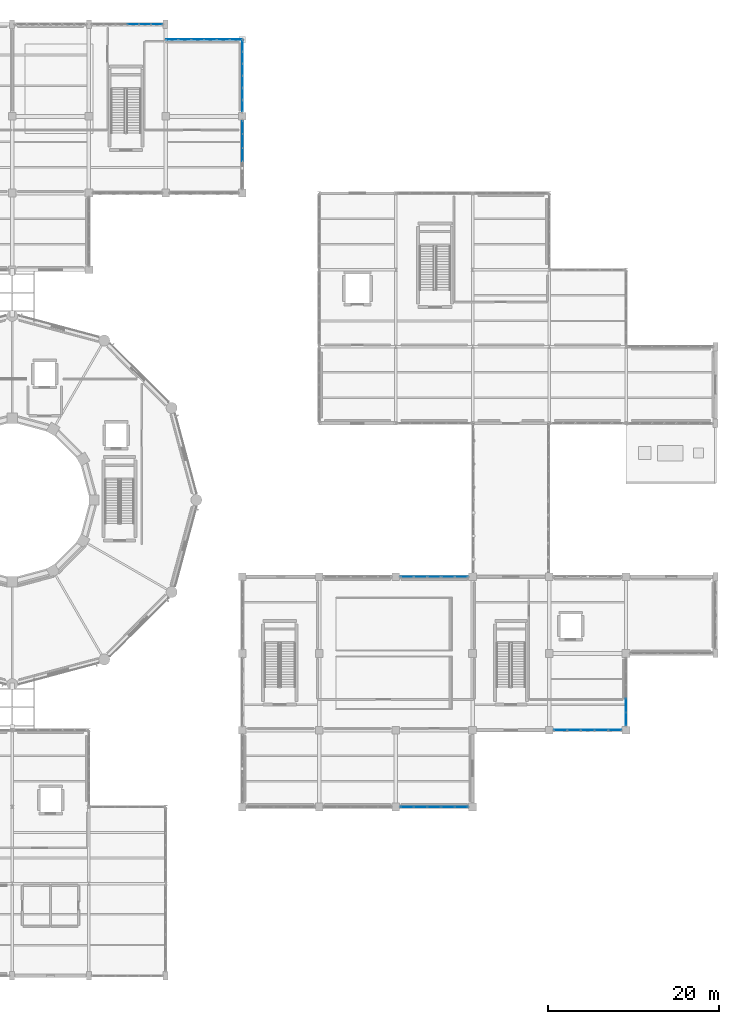
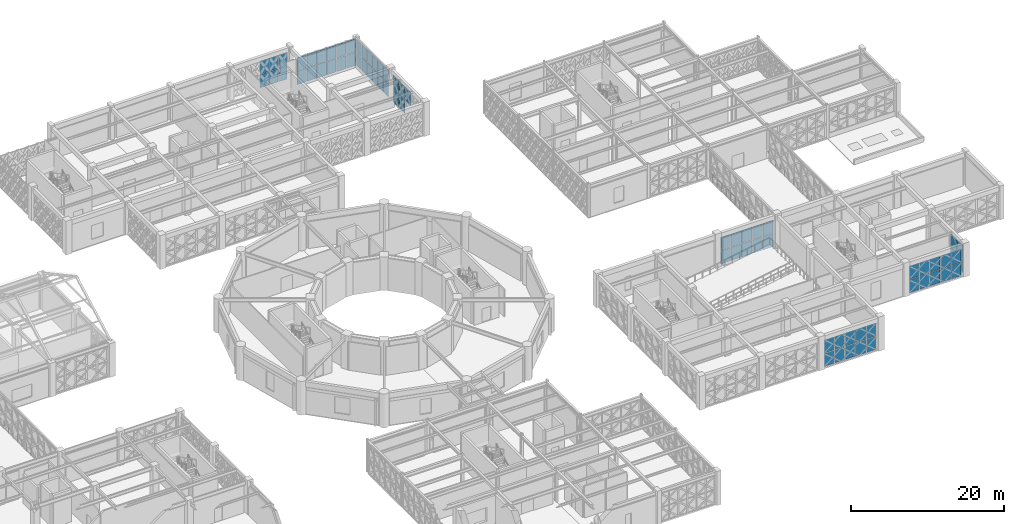
# One storey, part 134 of 166: 69 plates, 8 elements without a shape of their own.
"""IFC4 building model written with IfcOpenShell, lengths in metres."""

from ifc_helpers import new_model, si_unit, direction, frame, origin, origin_2d, place, context, subcontext, project, spatial, rectangle, extrude, material, layer, layer_set, type_object, element, aggregate, save


model = new_model("IFC4")

# Units and contexts
model_context = context("Model", 3, precision=1e-05, world=origin(), true_north=direction((0.0, 1.0)))
body_context = subcontext(model_context, "Body", "Model", "MODEL_VIEW")
ifc_project = project(units=[si_unit("LENGTHUNIT", "METRE"), si_unit("AREAUNIT", "SQUARE_METRE"), si_unit("VOLUMEUNIT", "CUBIC_METRE"), si_unit("PLANEANGLEUNIT", "RADIAN"), si_unit("MASSUNIT", "GRAM", prefix="KILO")], contexts=[model_context])

# Site, building, storey
site_placement = place(None, origin())
site = spatial("IfcSite", under=ifc_project, at=site_placement, CompositionType="ELEMENT")
building_placement = place(site_placement, origin())
building = spatial("IfcBuilding", under=site, at=building_placement, Name="Haizhuo Lancet Aquarium", CompositionType="ELEMENT")
storey_placement = place(building_placement, frame((0.0, 0.0, 5.39990234375)))
storey = spatial("IfcBuildingStorey", under=building, at=storey_placement, Name="L01", CompositionType="ELEMENT", Elevation=5.39990234375)

# Curtain wall, plates
ifc_material_1 = material(Name="Aluminium 6063-T6", Category="aluminium")
curtain_wall_type_1 = type_object("IfcCurtainWallType", Name="CWO-8010x4390", PredefinedType="NOTDEFINED", material=ifc_material_1)
curtain_wall_1_placement = place(storey_placement, origin())
curtain_wall_1 = element("IfcCurtainWall", 1, at=curtain_wall_1_placement, inside=storey, type_object=curtain_wall_type_1, Name="L01 curtain wall CW-V3-L01-045", PredefinedType="NOTDEFINED")
ifc_material_2 = material(Name="Laminated Low-E Glass", Category="glass")
ifc_layer_1 = layer(ifc_material_2, 0.028076171875)
ifc_layer_set_1 = layer_set([ifc_layer_1], Name="Laminated Low-E Glass")
plate_type_1 = type_object("IfcPlateType", Name="CW-PNL-1", PredefinedType="CURTAIN_PANEL", material=ifc_layer_set_1)
plate_1_placement = place(storey_placement, frame((52.68408203125, -36.0, 0.08056640625), z_axis=(0.0, 0.0, 1.0), x_axis=(-1.0, 0.0, 0.0)))
plate_1 = element("IfcPlate", 2, at=plate_1_placement, type_object=plate_type_1, Name="CWO-80x43 panel 1.1", PredefinedType="CURTAIN_PANEL", context=body_context, shape_type="SweptSolid", body=[
    extrude(rectangle(XDim=1.48193359375, YDim=0.028076171875, at=origin_2d()), origin(), (0.0, 0.0, 1.0), 2.074951171875),
])
plate_2_placement = place(storey_placement, frame((52.68408203125, -36.0, 2.23486328125), z_axis=(0.0, 0.0, 1.0), x_axis=(-1.0, 0.0, 0.0)))
plate_2 = element("IfcPlate", 3, at=plate_2_placement, type_object=plate_type_1, Name="CWO-80x43 panel 1.2", PredefinedType="CURTAIN_PANEL", context=body_context, shape_type="SweptSolid", body=[
    extrude(rectangle(XDim=1.48193359375, YDim=0.028076171875, at=origin_2d()), origin(), (0.0, 0.0, 1.0), 2.074951171875),
])
plate_3_placement = place(storey_placement, frame((51.10205078125, -36.0, 0.08056640625), z_axis=(0.0, 0.0, 1.0), x_axis=(-1.0, 0.0, 0.0)))
plate_3 = element("IfcPlate", 4, at=plate_3_placement, type_object=plate_type_1, Name="CWO-80x43 panel 2.1", PredefinedType="CURTAIN_PANEL", context=body_context, shape_type="SweptSolid", body=[
    extrude(rectangle(XDim=1.52197265625, YDim=0.028076171875, at=origin_2d()), origin(), (0.0, 0.0, 1.0), 2.074951171875),
])
plate_4_placement = place(storey_placement, frame((51.10205078125, -36.0, 2.23486328125), z_axis=(0.0, 0.0, 1.0), x_axis=(-1.0, 0.0, 0.0)))
plate_4 = element("IfcPlate", 5, at=plate_4_placement, type_object=plate_type_1, Name="CWO-80x43 panel 2.2", PredefinedType="CURTAIN_PANEL", context=body_context, shape_type="SweptSolid", body=[
    extrude(rectangle(XDim=1.52197265625, YDim=0.028076171875, at=origin_2d()), origin(), (0.0, 0.0, 1.0), 2.074951171875),
])
plate_5_placement = place(storey_placement, frame((49.5, -36.0, 0.08056640625), z_axis=(0.0, 0.0, 1.0), x_axis=(-1.0, 0.0, 0.0)))
plate_5 = element("IfcPlate", 6, at=plate_5_placement, type_object=plate_type_1, Name="CWO-80x43 panel 3.1", PredefinedType="CURTAIN_PANEL", context=body_context, shape_type="SweptSolid", body=[
    extrude(rectangle(XDim=1.52197265625, YDim=0.028076171875, at=origin_2d()), origin(), (0.0, 0.0, 1.0), 2.074951171875),
])
plate_6_placement = place(storey_placement, frame((49.5, -36.0, 2.23486328125), z_axis=(0.0, 0.0, 1.0), x_axis=(-1.0, 0.0, 0.0)))
plate_6 = element("IfcPlate", 7, at=plate_6_placement, type_object=plate_type_1, Name="CWO-80x43 panel 3.2", PredefinedType="CURTAIN_PANEL", context=body_context, shape_type="SweptSolid", body=[
    extrude(rectangle(XDim=1.52197265625, YDim=0.028076171875, at=origin_2d()), origin(), (0.0, 0.0, 1.0), 2.074951171875),
])
plate_7_placement = place(storey_placement, frame((47.89794921875, -36.0, 0.08056640625), z_axis=(0.0, 0.0, 1.0), x_axis=(-1.0, 0.0, 0.0)))
plate_7 = element("IfcPlate", 8, at=plate_7_placement, type_object=plate_type_1, Name="CWO-80x43 panel 4.1", PredefinedType="CURTAIN_PANEL", context=body_context, shape_type="SweptSolid", body=[
    extrude(rectangle(XDim=1.52197265625, YDim=0.028076171875, at=origin_2d()), origin(), (0.0, 0.0, 1.0), 2.074951171875),
])
plate_8_placement = place(storey_placement, frame((47.89794921875, -36.0, 2.23486328125), z_axis=(0.0, 0.0, 1.0), x_axis=(-1.0, 0.0, 0.0)))
plate_8 = element("IfcPlate", 9, at=plate_8_placement, type_object=plate_type_1, Name="CWO-80x43 panel 4.2", PredefinedType="CURTAIN_PANEL", context=body_context, shape_type="SweptSolid", body=[
    extrude(rectangle(XDim=1.52197265625, YDim=0.028076171875, at=origin_2d()), origin(), (0.0, 0.0, 1.0), 2.074951171875),
])
plate_9_placement = place(storey_placement, frame((46.31591796875, -36.0, 0.08056640625), z_axis=(0.0, 0.0, 1.0), x_axis=(-1.0, 0.0, 0.0)))
plate_9 = element("IfcPlate", 10, at=plate_9_placement, type_object=plate_type_1, Name="CWO-80x43 panel 5.1", PredefinedType="CURTAIN_PANEL", context=body_context, shape_type="SweptSolid", body=[
    extrude(rectangle(XDim=1.48193359375, YDim=0.028076171875, at=origin_2d()), origin(), (0.0, 0.0, 1.0), 2.074951171875),
])
plate_10_placement = place(storey_placement, frame((46.31591796875, -36.0, 2.23486328125), z_axis=(0.0, 0.0, 1.0), x_axis=(-1.0, 0.0, 0.0)))
plate_10 = element("IfcPlate", 11, at=plate_10_placement, type_object=plate_type_1, Name="CWO-80x43 panel 5.2", PredefinedType="CURTAIN_PANEL", context=body_context, shape_type="SweptSolid", body=[
    extrude(rectangle(XDim=1.48193359375, YDim=0.028076171875, at=origin_2d()), origin(), (0.0, 0.0, 1.0), 2.074951171875),
])
aggregate(curtain_wall_1, [plate_1, plate_2, plate_3, plate_4, plate_5, plate_6, plate_7, plate_8, plate_9, plate_10])

curtain_wall_type_2 = type_object("IfcCurtainWallType", Name="CWD-8310x4390", PredefinedType="NOTDEFINED", material=ifc_material_1)
curtain_wall_2_placement = place(storey_placement, origin())
curtain_wall_2 = element("IfcCurtainWall", 12, at=curtain_wall_2_placement, inside=storey, type_object=curtain_wall_type_2, Name="L01 curtain wall CW-V5-L01-133", PredefinedType="NOTDEFINED")
plate_11_placement = place(storey_placement, frame((14.193115234375, 55.800048828125, 0.06494140625), z_axis=(0.0, 0.0, 1.0), x_axis=(1.0, 0.0, 0.0)))
plate_11 = element("IfcPlate", 13, at=plate_11_placement, type_object=plate_type_1, Name="CWD-83x43 panel 4.1", PredefinedType="CURTAIN_PANEL", context=body_context, shape_type="SweptSolid", body=[
    extrude(rectangle(XDim=1.320068359375, YDim=0.028076171875, at=origin_2d()), origin(), (0.0, 0.0, 1.0), 2.097900390625),
])
plate_12_placement = place(storey_placement, frame((14.193115234375, 55.800048828125, 2.2275390625), z_axis=(0.0, 0.0, 1.0), x_axis=(1.0, 0.0, 0.0)))
plate_12 = element("IfcPlate", 14, at=plate_12_placement, type_object=plate_type_1, Name="CWD-83x43 panel 4.2", PredefinedType="CURTAIN_PANEL", context=body_context, shape_type="SweptSolid", body=[
    extrude(rectangle(XDim=1.320068359375, YDim=0.028076171875, at=origin_2d()), origin(), (0.0, 0.0, 1.0), 2.096923828125),
])
plate_13_placement = place(storey_placement, frame((15.577880859375, 55.800048828125, 0.06494140625), z_axis=(0.0, 0.0, 1.0), x_axis=(1.0, 0.0, 0.0)))
plate_13 = element("IfcPlate", 15, at=plate_13_placement, type_object=plate_type_1, Name="CWD-83x43 panel 5.1", PredefinedType="CURTAIN_PANEL", context=body_context, shape_type="SweptSolid", body=[
    extrude(rectangle(XDim=1.320068359375, YDim=0.028076171875, at=origin_2d()), origin(), (0.0, 0.0, 1.0), 2.097900390625),
])
plate_14_placement = place(storey_placement, frame((15.577880859375, 55.800048828125, 2.2275390625), z_axis=(0.0, 0.0, 1.0), x_axis=(1.0, 0.0, 0.0)))
plate_14 = element("IfcPlate", 16, at=plate_14_placement, type_object=plate_type_1, Name="CWD-83x43 panel 5.2", PredefinedType="CURTAIN_PANEL", context=body_context, shape_type="SweptSolid", body=[
    extrude(rectangle(XDim=1.320068359375, YDim=0.028076171875, at=origin_2d()), origin(), (0.0, 0.0, 1.0), 2.096923828125),
])
plate_15_placement = place(storey_placement, frame((16.946044921875, 55.800048828125, 0.06494140625), z_axis=(0.0, 0.0, 1.0), x_axis=(1.0, 0.0, 0.0)))
plate_15 = element("IfcPlate", 17, at=plate_15_placement, type_object=plate_type_1, Name="CWD-83x43 panel 6.1", PredefinedType="CURTAIN_PANEL", context=body_context, shape_type="SweptSolid", body=[
    extrude(rectangle(XDim=1.287109375, YDim=0.028076171875, at=origin_2d()), origin(), (0.0, 0.0, 1.0), 2.097900390625),
])
plate_16_placement = place(storey_placement, frame((16.946044921875, 55.800048828125, 2.2275390625), z_axis=(0.0, 0.0, 1.0), x_axis=(1.0, 0.0, 0.0)))
plate_16 = element("IfcPlate", 18, at=plate_16_placement, type_object=plate_type_1, Name="CWD-83x43 panel 6.2", PredefinedType="CURTAIN_PANEL", context=body_context, shape_type="SweptSolid", body=[
    extrude(rectangle(XDim=1.287109375, YDim=0.028076171875, at=origin_2d()), origin(), (0.0, 0.0, 1.0), 2.096923828125),
])
aggregate(curtain_wall_2, [plate_11, plate_12, plate_13, plate_14, plate_15, plate_16])

curtain_wall_type_3 = type_object("IfcCurtainWallType", Name="CWD-9000x4420", PredefinedType="NOTDEFINED", material=ifc_material_1)
curtain_wall_3_placement = place(storey_placement, origin())
curtain_wall_3 = element("IfcCurtainWall", 19, at=curtain_wall_3_placement, inside=storey, type_object=curtain_wall_type_3, Name="L01 curtain wall CW-V5-L01-134", PredefinedType="NOTDEFINED")
ifc_layer_2 = layer(ifc_material_2, 0.033935546875)
ifc_layer_set_2 = layer_set([ifc_layer_2], Name="Laminated Low-E Glass")
plate_type_2 = type_object("IfcPlateType", Name="CW-PNL-2", PredefinedType="CURTAIN_PANEL", material=ifc_layer_set_2)
plate_17_placement = place(storey_placement, frame((18.76904296875, 54.0, 0.074951171875), z_axis=(0.0, 0.0, 1.0), x_axis=(1.0, 0.0, 0.0)))
plate_17 = element("IfcPlate", 20, at=plate_17_placement, type_object=plate_type_2, Name="CWD-90x44 panel 1.1", PredefinedType="CURTAIN_PANEL", context=body_context, shape_type="SweptSolid", body=[
    extrude(rectangle(XDim=1.386962890625, YDim=0.033935546875, at=origin_2d()), origin(), (0.0, 0.0, 1.0), 2.10009765625),
])
plate_18_placement = place(storey_placement, frame((18.76904296875, 54.0, 2.24951171875), z_axis=(0.0, 0.0, 1.0), x_axis=(1.0, 0.0, 0.0)))
plate_18 = element("IfcPlate", 21, at=plate_18_placement, type_object=plate_type_2, Name="CWD-90x44 panel 1.2", PredefinedType="CURTAIN_PANEL", context=body_context, shape_type="SweptSolid", body=[
    extrude(rectangle(XDim=1.386962890625, YDim=0.033935546875, at=origin_2d()), origin(), (0.0, 0.0, 1.0), 2.10107421875),
])
plate_19_placement = place(storey_placement, frame((20.25, 54.0, 0.074951171875), z_axis=(0.0, 0.0, 1.0), x_axis=(1.0, 0.0, 0.0)))
plate_19 = element("IfcPlate", 22, at=plate_19_placement, type_object=plate_type_2, Name="CWD-90x44 panel 2.1", PredefinedType="CURTAIN_PANEL", context=body_context, shape_type="SweptSolid", body=[
    extrude(rectangle(XDim=1.425048828125, YDim=0.033935546875, at=origin_2d()), origin(), (0.0, 0.0, 1.0), 2.10009765625),
])
plate_20_placement = place(storey_placement, frame((20.25, 54.0, 2.24951171875), z_axis=(0.0, 0.0, 1.0), x_axis=(1.0, 0.0, 0.0)))
plate_20 = element("IfcPlate", 23, at=plate_20_placement, type_object=plate_type_2, Name="CWD-90x44 panel 2.2", PredefinedType="CURTAIN_PANEL", context=body_context, shape_type="SweptSolid", body=[
    extrude(rectangle(XDim=1.425048828125, YDim=0.033935546875, at=origin_2d()), origin(), (0.0, 0.0, 1.0), 2.10107421875),
])
plate_21_placement = place(storey_placement, frame((21.75, 54.0, 0.074951171875), z_axis=(0.0, 0.0, 1.0), x_axis=(1.0, 0.0, 0.0)))
plate_21 = element("IfcPlate", 24, at=plate_21_placement, type_object=plate_type_2, Name="CWD-90x44 panel 3.1", PredefinedType="CURTAIN_PANEL", context=body_context, shape_type="SweptSolid", body=[
    extrude(rectangle(XDim=1.425048828125, YDim=0.033935546875, at=origin_2d()), origin(), (0.0, 0.0, 1.0), 2.10009765625),
])
plate_22_placement = place(storey_placement, frame((21.75, 54.0, 2.24951171875), z_axis=(0.0, 0.0, 1.0), x_axis=(1.0, 0.0, 0.0)))
plate_22 = element("IfcPlate", 25, at=plate_22_placement, type_object=plate_type_2, Name="CWD-90x44 panel 3.2", PredefinedType="CURTAIN_PANEL", context=body_context, shape_type="SweptSolid", body=[
    extrude(rectangle(XDim=1.425048828125, YDim=0.033935546875, at=origin_2d()), origin(), (0.0, 0.0, 1.0), 2.10107421875),
])
plate_23_placement = place(storey_placement, frame((23.25, 54.0, 0.074951171875), z_axis=(0.0, 0.0, 1.0), x_axis=(1.0, 0.0, 0.0)))
plate_23 = element("IfcPlate", 26, at=plate_23_placement, type_object=plate_type_2, Name="CWD-90x44 panel 4.1", PredefinedType="CURTAIN_PANEL", context=body_context, shape_type="SweptSolid", body=[
    extrude(rectangle(XDim=1.425048828125, YDim=0.033935546875, at=origin_2d()), origin(), (0.0, 0.0, 1.0), 2.10009765625),
])
plate_24_placement = place(storey_placement, frame((23.25, 54.0, 2.24951171875), z_axis=(0.0, 0.0, 1.0), x_axis=(1.0, 0.0, 0.0)))
plate_24 = element("IfcPlate", 27, at=plate_24_placement, type_object=plate_type_2, Name="CWD-90x44 panel 4.2", PredefinedType="CURTAIN_PANEL", context=body_context, shape_type="SweptSolid", body=[
    extrude(rectangle(XDim=1.425048828125, YDim=0.033935546875, at=origin_2d()), origin(), (0.0, 0.0, 1.0), 2.10107421875),
])
plate_25_placement = place(storey_placement, frame((24.75, 54.0, 0.074951171875), z_axis=(0.0, 0.0, 1.0), x_axis=(1.0, 0.0, 0.0)))
plate_25 = element("IfcPlate", 28, at=plate_25_placement, type_object=plate_type_2, Name="CWD-90x44 panel 5.1", PredefinedType="CURTAIN_PANEL", context=body_context, shape_type="SweptSolid", body=[
    extrude(rectangle(XDim=1.425048828125, YDim=0.033935546875, at=origin_2d()), origin(), (0.0, 0.0, 1.0), 2.10009765625),
])
plate_26_placement = place(storey_placement, frame((24.75, 54.0, 2.24951171875), z_axis=(0.0, 0.0, 1.0), x_axis=(1.0, 0.0, 0.0)))
plate_26 = element("IfcPlate", 29, at=plate_26_placement, type_object=plate_type_2, Name="CWD-90x44 panel 5.2", PredefinedType="CURTAIN_PANEL", context=body_context, shape_type="SweptSolid", body=[
    extrude(rectangle(XDim=1.425048828125, YDim=0.033935546875, at=origin_2d()), origin(), (0.0, 0.0, 1.0), 2.10107421875),
])
plate_27_placement = place(storey_placement, frame((26.23095703125, 54.0, 0.074951171875), z_axis=(0.0, 0.0, 1.0), x_axis=(1.0, 0.0, 0.0)))
plate_27 = element("IfcPlate", 30, at=plate_27_placement, type_object=plate_type_2, Name="CWD-90x44 panel 6.1", PredefinedType="CURTAIN_PANEL", context=body_context, shape_type="SweptSolid", body=[
    extrude(rectangle(XDim=1.387939453125, YDim=0.033935546875, at=origin_2d()), origin(), (0.0, 0.0, 1.0), 2.10009765625),
])
plate_28_placement = place(storey_placement, frame((26.23095703125, 54.0, 2.24951171875), z_axis=(0.0, 0.0, 1.0), x_axis=(1.0, 0.0, 0.0)))
plate_28 = element("IfcPlate", 31, at=plate_28_placement, type_object=plate_type_2, Name="CWD-90x44 panel 6.2", PredefinedType="CURTAIN_PANEL", context=body_context, shape_type="SweptSolid", body=[
    extrude(rectangle(XDim=1.387939453125, YDim=0.033935546875, at=origin_2d()), origin(), (0.0, 0.0, 1.0), 2.10107421875),
])
aggregate(curtain_wall_3, [plate_17, plate_18, plate_19, plate_20, plate_21, plate_22, plate_23, plate_24, plate_25, plate_26, plate_27, plate_28])

curtain_wall_4_placement = place(storey_placement, origin())
curtain_wall_4 = element("IfcCurtainWall", 32, at=curtain_wall_4_placement, inside=storey, type_object=curtain_wall_type_1, Name="L01 curtain wall CW-V3-L01-039", PredefinedType="NOTDEFINED")
ifc_layer_3 = layer(ifc_material_2, 0.0419921875)
ifc_layer_set_3 = layer_set([ifc_layer_3], Name="Laminated Low-E Glass")
plate_type_3 = type_object("IfcPlateType", Name="CW-PNL-3", PredefinedType="CURTAIN_PANEL", material=ifc_layer_set_3)
plate_29_placement = place(storey_placement, frame((46.31591796875, -9.0, 0.08056640625), z_axis=(0.0, 0.0, 1.0), x_axis=(1.0, 0.0, 0.0)))
plate_29 = element("IfcPlate", 33, at=plate_29_placement, type_object=plate_type_3, Name="CWO-80x43 panel 1.1", PredefinedType="CURTAIN_PANEL", context=body_context, shape_type="SweptSolid", body=[
    extrude(rectangle(XDim=1.48193359375, YDim=0.0419921875, at=origin_2d()), origin(), (0.0, 0.0, 1.0), 2.074951171875),
])
plate_30_placement = place(storey_placement, frame((46.31591796875, -9.0, 2.23486328125), z_axis=(0.0, 0.0, 1.0), x_axis=(1.0, 0.0, 0.0)))
plate_30 = element("IfcPlate", 34, at=plate_30_placement, type_object=plate_type_3, Name="CWO-80x43 panel 1.2", PredefinedType="CURTAIN_PANEL", context=body_context, shape_type="SweptSolid", body=[
    extrude(rectangle(XDim=1.48193359375, YDim=0.0419921875, at=origin_2d()), origin(), (0.0, 0.0, 1.0), 2.074951171875),
])
plate_31_placement = place(storey_placement, frame((47.89794921875, -9.0, 0.08056640625), z_axis=(0.0, 0.0, 1.0), x_axis=(1.0, 0.0, 0.0)))
plate_31 = element("IfcPlate", 35, at=plate_31_placement, type_object=plate_type_3, Name="CWO-80x43 panel 2.1", PredefinedType="CURTAIN_PANEL", context=body_context, shape_type="SweptSolid", body=[
    extrude(rectangle(XDim=1.52197265625, YDim=0.0419921875, at=origin_2d()), origin(), (0.0, 0.0, 1.0), 2.074951171875),
])
plate_32_placement = place(storey_placement, frame((47.89794921875, -9.0, 2.23486328125), z_axis=(0.0, 0.0, 1.0), x_axis=(1.0, 0.0, 0.0)))
plate_32 = element("IfcPlate", 36, at=plate_32_placement, type_object=plate_type_3, Name="CWO-80x43 panel 2.2", PredefinedType="CURTAIN_PANEL", context=body_context, shape_type="SweptSolid", body=[
    extrude(rectangle(XDim=1.52197265625, YDim=0.0419921875, at=origin_2d()), origin(), (0.0, 0.0, 1.0), 2.074951171875),
])
plate_33_placement = place(storey_placement, frame((49.5, -9.0, 0.08056640625), z_axis=(0.0, 0.0, 1.0), x_axis=(1.0, 0.0, 0.0)))
plate_33 = element("IfcPlate", 37, at=plate_33_placement, type_object=plate_type_3, Name="CWO-80x43 panel 3.1", PredefinedType="CURTAIN_PANEL", context=body_context, shape_type="SweptSolid", body=[
    extrude(rectangle(XDim=1.52197265625, YDim=0.0419921875, at=origin_2d()), origin(), (0.0, 0.0, 1.0), 2.074951171875),
])
plate_34_placement = place(storey_placement, frame((49.5, -9.0, 2.23486328125), z_axis=(0.0, 0.0, 1.0), x_axis=(1.0, 0.0, 0.0)))
plate_34 = element("IfcPlate", 38, at=plate_34_placement, type_object=plate_type_3, Name="CWO-80x43 panel 3.2", PredefinedType="CURTAIN_PANEL", context=body_context, shape_type="SweptSolid", body=[
    extrude(rectangle(XDim=1.52197265625, YDim=0.0419921875, at=origin_2d()), origin(), (0.0, 0.0, 1.0), 2.074951171875),
])
plate_35_placement = place(storey_placement, frame((51.10205078125, -9.0, 0.08056640625), z_axis=(0.0, 0.0, 1.0), x_axis=(1.0, 0.0, 0.0)))
plate_35 = element("IfcPlate", 39, at=plate_35_placement, type_object=plate_type_3, Name="CWO-80x43 panel 4.1", PredefinedType="CURTAIN_PANEL", context=body_context, shape_type="SweptSolid", body=[
    extrude(rectangle(XDim=1.52197265625, YDim=0.0419921875, at=origin_2d()), origin(), (0.0, 0.0, 1.0), 2.074951171875),
])
plate_36_placement = place(storey_placement, frame((51.10205078125, -9.0, 2.23486328125), z_axis=(0.0, 0.0, 1.0), x_axis=(1.0, 0.0, 0.0)))
plate_36 = element("IfcPlate", 40, at=plate_36_placement, type_object=plate_type_3, Name="CWO-80x43 panel 4.2", PredefinedType="CURTAIN_PANEL", context=body_context, shape_type="SweptSolid", body=[
    extrude(rectangle(XDim=1.52197265625, YDim=0.0419921875, at=origin_2d()), origin(), (0.0, 0.0, 1.0), 2.074951171875),
])
plate_37_placement = place(storey_placement, frame((52.68408203125, -9.0, 0.08056640625), z_axis=(0.0, 0.0, 1.0), x_axis=(1.0, 0.0, 0.0)))
plate_37 = element("IfcPlate", 41, at=plate_37_placement, type_object=plate_type_3, Name="CWO-80x43 panel 5.1", PredefinedType="CURTAIN_PANEL", context=body_context, shape_type="SweptSolid", body=[
    extrude(rectangle(XDim=1.48193359375, YDim=0.0419921875, at=origin_2d()), origin(), (0.0, 0.0, 1.0), 2.074951171875),
])
plate_38_placement = place(storey_placement, frame((52.68408203125, -9.0, 2.23486328125), z_axis=(0.0, 0.0, 1.0), x_axis=(1.0, 0.0, 0.0)))
plate_38 = element("IfcPlate", 42, at=plate_38_placement, type_object=plate_type_3, Name="CWO-80x43 panel 5.2", PredefinedType="CURTAIN_PANEL", context=body_context, shape_type="SweptSolid", body=[
    extrude(rectangle(XDim=1.48193359375, YDim=0.0419921875, at=origin_2d()), origin(), (0.0, 0.0, 1.0), 2.074951171875),
])
aggregate(curtain_wall_4, [plate_29, plate_30, plate_31, plate_32, plate_33, plate_34, plate_35, plate_36, plate_37, plate_38])

curtain_wall_type_4 = type_object("IfcCurtainWallType", Name="CWO-8010x4440", PredefinedType="NOTDEFINED", material=ifc_material_1)
curtain_wall_5_placement = place(storey_placement, origin())
curtain_wall_5 = element("IfcCurtainWall", 43, at=curtain_wall_5_placement, inside=storey, type_object=curtain_wall_type_4, Name="L01 curtain wall CW-V3-L01-043", PredefinedType="NOTDEFINED")
plate_39_placement = place(storey_placement, frame((72.0, -24.10205078125, 0.064453125), z_axis=(0.0, 0.0, 1.0), x_axis=(0.0, -1.0, 0.0)))
plate_39 = element("IfcPlate", 44, at=plate_39_placement, type_object=plate_type_3, Name="CWO-80x44 panel 4.1", PredefinedType="CURTAIN_PANEL", context=body_context, shape_type="SweptSolid", body=[
    extrude(rectangle(XDim=1.537109375, YDim=0.0419921875, at=origin_2d()), origin(), (0.0, 0.0, 1.0), 2.123046875),
])
plate_40_placement = place(storey_placement, frame((72.0, -24.10205078125, 2.253173828125), z_axis=(0.0, 0.0, 1.0), x_axis=(0.0, -1.0, 0.0)))
plate_40 = element("IfcPlate", 45, at=plate_40_placement, type_object=plate_type_3, Name="CWO-80x44 panel 4.2", PredefinedType="CURTAIN_PANEL", context=body_context, shape_type="SweptSolid", body=[
    extrude(rectangle(XDim=1.537109375, YDim=0.0419921875, at=origin_2d()), origin(), (0.0, 0.0, 1.0), 2.1220703125),
])
plate_41_placement = place(storey_placement, frame((72.0, -25.68798828125, 0.064453125), z_axis=(0.0, 0.0, 1.0), x_axis=(0.0, -1.0, 0.0)))
plate_41 = element("IfcPlate", 46, at=plate_41_placement, type_object=plate_type_3, Name="CWO-80x44 panel 5.1", PredefinedType="CURTAIN_PANEL", context=body_context, shape_type="SweptSolid", body=[
    extrude(rectangle(XDim=1.5048828125, YDim=0.0419921875, at=origin_2d()), origin(), (0.0, 0.0, 1.0), 2.123046875),
])
plate_42_placement = place(storey_placement, frame((72.0, -25.68798828125, 2.253173828125), z_axis=(0.0, 0.0, 1.0), x_axis=(0.0, -1.0, 0.0)))
plate_42 = element("IfcPlate", 47, at=plate_42_placement, type_object=plate_type_3, Name="CWO-80x44 panel 5.2", PredefinedType="CURTAIN_PANEL", context=body_context, shape_type="SweptSolid", body=[
    extrude(rectangle(XDim=1.5048828125, YDim=0.0419921875, at=origin_2d()), origin(), (0.0, 0.0, 1.0), 2.1220703125),
])
aggregate(curtain_wall_5, [plate_39, plate_40, plate_41, plate_42])

curtain_wall_type_5 = type_object("IfcCurtainWallType", Name="CWD-8510x4380", PredefinedType="NOTDEFINED", material=ifc_material_1)
curtain_wall_6_placement = place(storey_placement, origin())
curtain_wall_6 = element("IfcCurtainWall", 48, at=curtain_wall_6_placement, inside=storey, type_object=curtain_wall_type_5, Name="L01 curtain wall CW-V5-L01-135", PredefinedType="NOTDEFINED")
plate_43_placement = place(storey_placement, frame((27.0, 53.27099609375, 0.080078125), z_axis=(0.0, 0.0, 1.0), x_axis=(0.0, -1.0, 0.0)))
plate_43 = element("IfcPlate", 49, at=plate_43_placement, type_object=plate_type_3, Name="CWD-85x43 panel 1.1", PredefinedType="CURTAIN_PANEL", context=body_context, shape_type="SweptSolid", body=[
    extrude(rectangle(XDim=1.298095703125, YDim=0.0419921875, at=origin_2d()), origin(), (0.0, 0.0, 1.0), 2.068115234375),
])
plate_44_placement = place(storey_placement, frame((27.0, 53.27099609375, 2.228759765625), z_axis=(0.0, 0.0, 1.0), x_axis=(0.0, -1.0, 0.0)))
plate_44 = element("IfcPlate", 50, at=plate_44_placement, type_object=plate_type_3, Name="CWD-85x43 panel 1.2", PredefinedType="CURTAIN_PANEL", context=body_context, shape_type="SweptSolid", body=[
    extrude(rectangle(XDim=1.298095703125, YDim=0.0419921875, at=origin_2d()), origin(), (0.0, 0.0, 1.0), 2.06689453125),
])
plate_45_placement = place(storey_placement, frame((27.0, 51.8740234375, 0.080078125), z_axis=(0.0, 0.0, 1.0), x_axis=(0.0, -1.0, 0.0)))
plate_45 = element("IfcPlate", 51, at=plate_45_placement, type_object=plate_type_3, Name="CWD-85x43 panel 2.1", PredefinedType="CURTAIN_PANEL", context=body_context, shape_type="SweptSolid", body=[
    extrude(rectangle(XDim=1.337890625, YDim=0.0419921875, at=origin_2d()), origin(), (0.0, 0.0, 1.0), 2.068115234375),
])
plate_46_placement = place(storey_placement, frame((27.0, 51.8740234375, 2.228759765625), z_axis=(0.0, 0.0, 1.0), x_axis=(0.0, -1.0, 0.0)))
plate_46 = element("IfcPlate", 52, at=plate_46_placement, type_object=plate_type_3, Name="CWD-85x43 panel 2.2", PredefinedType="CURTAIN_PANEL", context=body_context, shape_type="SweptSolid", body=[
    extrude(rectangle(XDim=1.337890625, YDim=0.0419921875, at=origin_2d()), origin(), (0.0, 0.0, 1.0), 2.06689453125),
])
plate_47_placement = place(storey_placement, frame((27.0, 50.4560546875, 0.080078125), z_axis=(0.0, 0.0, 1.0), x_axis=(0.0, -1.0, 0.0)))
plate_47 = element("IfcPlate", 53, at=plate_47_placement, type_object=plate_type_3, Name="CWD-85x43 panel 3.1", PredefinedType="CURTAIN_PANEL", context=body_context, shape_type="SweptSolid", body=[
    extrude(rectangle(XDim=1.337890625, YDim=0.0419921875, at=origin_2d()), origin(), (0.0, 0.0, 1.0), 2.068115234375),
])
plate_48_placement = place(storey_placement, frame((27.0, 50.4560546875, 2.228759765625), z_axis=(0.0, 0.0, 1.0), x_axis=(0.0, -1.0, 0.0)))
plate_48 = element("IfcPlate", 54, at=plate_48_placement, type_object=plate_type_3, Name="CWD-85x43 panel 3.2", PredefinedType="CURTAIN_PANEL", context=body_context, shape_type="SweptSolid", body=[
    extrude(rectangle(XDim=1.337890625, YDim=0.0419921875, at=origin_2d()), origin(), (0.0, 0.0, 1.0), 2.06689453125),
])
plate_49_placement = place(storey_placement, frame((27.0, 49.0390625, 0.080078125), z_axis=(0.0, 0.0, 1.0), x_axis=(0.0, -1.0, 0.0)))
plate_49 = element("IfcPlate", 55, at=plate_49_placement, type_object=plate_type_3, Name="CWD-85x43 panel 4.1", PredefinedType="CURTAIN_PANEL", context=body_context, shape_type="SweptSolid", body=[
    extrude(rectangle(XDim=1.337890625, YDim=0.0419921875, at=origin_2d()), origin(), (0.0, 0.0, 1.0), 2.068115234375),
])
plate_50_placement = place(storey_placement, frame((27.0, 49.0390625, 2.228759765625), z_axis=(0.0, 0.0, 1.0), x_axis=(0.0, -1.0, 0.0)))
plate_50 = element("IfcPlate", 56, at=plate_50_placement, type_object=plate_type_3, Name="CWD-85x43 panel 4.2", PredefinedType="CURTAIN_PANEL", context=body_context, shape_type="SweptSolid", body=[
    extrude(rectangle(XDim=1.337890625, YDim=0.0419921875, at=origin_2d()), origin(), (0.0, 0.0, 1.0), 2.06689453125),
])
plate_51_placement = place(storey_placement, frame((27.0, 47.62109375, 0.080078125), z_axis=(0.0, 0.0, 1.0), x_axis=(0.0, -1.0, 0.0)))
plate_51 = element("IfcPlate", 57, at=plate_51_placement, type_object=plate_type_3, Name="CWD-85x43 panel 5.1", PredefinedType="CURTAIN_PANEL", context=body_context, shape_type="SweptSolid", body=[
    extrude(rectangle(XDim=1.337890625, YDim=0.0419921875, at=origin_2d()), origin(), (0.0, 0.0, 1.0), 2.068115234375),
])
plate_52_placement = place(storey_placement, frame((27.0, 47.62109375, 2.228759765625), z_axis=(0.0, 0.0, 1.0), x_axis=(0.0, -1.0, 0.0)))
plate_52 = element("IfcPlate", 58, at=plate_52_placement, type_object=plate_type_3, Name="CWD-85x43 panel 5.2", PredefinedType="CURTAIN_PANEL", context=body_context, shape_type="SweptSolid", body=[
    extrude(rectangle(XDim=1.337890625, YDim=0.0419921875, at=origin_2d()), origin(), (0.0, 0.0, 1.0), 2.06689453125),
])
plate_53_placement = place(storey_placement, frame((27.0, 46.22412109375, 0.080078125), z_axis=(0.0, 0.0, 1.0), x_axis=(0.0, -1.0, 0.0)))
plate_53 = element("IfcPlate", 59, at=plate_53_placement, type_object=plate_type_3, Name="CWD-85x43 panel 6.1", PredefinedType="CURTAIN_PANEL", context=body_context, shape_type="SweptSolid", body=[
    extrude(rectangle(XDim=1.298095703125, YDim=0.0419921875, at=origin_2d()), origin(), (0.0, 0.0, 1.0), 2.068115234375),
])
plate_54_placement = place(storey_placement, frame((27.0, 46.22412109375, 2.228759765625), z_axis=(0.0, 0.0, 1.0), x_axis=(0.0, -1.0, 0.0)))
plate_54 = element("IfcPlate", 60, at=plate_54_placement, type_object=plate_type_3, Name="CWD-85x43 panel 6.2", PredefinedType="CURTAIN_PANEL", context=body_context, shape_type="SweptSolid", body=[
    extrude(rectangle(XDim=1.298095703125, YDim=0.0419921875, at=origin_2d()), origin(), (0.0, 0.0, 1.0), 2.06689453125),
])
aggregate(curtain_wall_6, [plate_43, plate_44, plate_45, plate_46, plate_47, plate_48, plate_49, plate_50, plate_51, plate_52, plate_53, plate_54])

curtain_wall_7_placement = place(storey_placement, origin())
curtain_wall_7 = element("IfcCurtainWall", 61, at=curtain_wall_7_placement, inside=storey, type_object=curtain_wall_type_1, Name="L01 curtain wall CW-V3-L01-044", PredefinedType="NOTDEFINED")
ifc_layer_4 = layer(ifc_material_2, 0.052001953125)
ifc_layer_set_4 = layer_set([ifc_layer_4], Name="Laminated Low-E Glass")
plate_type_4 = type_object("IfcPlateType", Name="CW-PNL-4", PredefinedType="CURTAIN_PANEL", material=ifc_layer_set_4)
plate_55_placement = place(storey_placement, frame((70.68505859375, -27.0, 0.07470703125), z_axis=(0.0, 0.0, 1.0), x_axis=(-1.0, 0.0, 0.0)))
plate_55 = element("IfcPlate", 62, at=plate_55_placement, type_object=plate_type_4, Name="CWO-80x43 panel 1.1", PredefinedType="CURTAIN_PANEL", context=body_context, shape_type="SweptSolid", body=[
    extrude(rectangle(XDim=1.489013671875, YDim=0.052001953125, at=origin_2d()), origin(), (0.0, 0.0, 1.0), 2.0830078125),
])
plate_56_placement = place(storey_placement, frame((70.68505859375, -27.0, 2.232666015625), z_axis=(0.0, 0.0, 1.0), x_axis=(-1.0, 0.0, 0.0)))
plate_56 = element("IfcPlate", 63, at=plate_56_placement, type_object=plate_type_4, Name="CWO-80x43 panel 1.2", PredefinedType="CURTAIN_PANEL", context=body_context, shape_type="SweptSolid", body=[
    extrude(rectangle(XDim=1.489013671875, YDim=0.052001953125, at=origin_2d()), origin(), (0.0, 0.0, 1.0), 2.0830078125),
])
plate_57_placement = place(storey_placement, frame((69.10205078125, -27.0, 0.07470703125), z_axis=(0.0, 0.0, 1.0), x_axis=(-1.0, 0.0, 0.0)))
plate_57 = element("IfcPlate", 64, at=plate_57_placement, type_object=plate_type_4, Name="CWO-80x43 panel 2.1", PredefinedType="CURTAIN_PANEL", context=body_context, shape_type="SweptSolid", body=[
    extrude(rectangle(XDim=1.527099609375, YDim=0.052001953125, at=origin_2d()), origin(), (0.0, 0.0, 1.0), 2.0830078125),
])
plate_58_placement = place(storey_placement, frame((69.10205078125, -27.0, 2.232666015625), z_axis=(0.0, 0.0, 1.0), x_axis=(-1.0, 0.0, 0.0)))
plate_58 = element("IfcPlate", 65, at=plate_58_placement, type_object=plate_type_4, Name="CWO-80x43 panel 2.2", PredefinedType="CURTAIN_PANEL", context=body_context, shape_type="SweptSolid", body=[
    extrude(rectangle(XDim=1.527099609375, YDim=0.052001953125, at=origin_2d()), origin(), (0.0, 0.0, 1.0), 2.0830078125),
])
plate_59_placement = place(storey_placement, frame((67.5, -27.0, 0.07470703125), z_axis=(0.0, 0.0, 1.0), x_axis=(-1.0, 0.0, 0.0)))
plate_59 = element("IfcPlate", 66, at=plate_59_placement, type_object=plate_type_4, Name="CWO-80x43 panel 3.1", PredefinedType="CURTAIN_PANEL", context=body_context, shape_type="SweptSolid", body=[
    extrude(rectangle(XDim=1.527099609375, YDim=0.052001953125, at=origin_2d()), origin(), (0.0, 0.0, 1.0), 2.0830078125),
])
plate_60_placement = place(storey_placement, frame((67.5, -27.0, 2.232666015625), z_axis=(0.0, 0.0, 1.0), x_axis=(-1.0, 0.0, 0.0)))
plate_60 = element("IfcPlate", 67, at=plate_60_placement, type_object=plate_type_4, Name="CWO-80x43 panel 3.2", PredefinedType="CURTAIN_PANEL", context=body_context, shape_type="SweptSolid", body=[
    extrude(rectangle(XDim=1.527099609375, YDim=0.052001953125, at=origin_2d()), origin(), (0.0, 0.0, 1.0), 2.0830078125),
])
plate_61_placement = place(storey_placement, frame((65.89794921875, -27.0, 0.07470703125), z_axis=(0.0, 0.0, 1.0), x_axis=(-1.0, 0.0, 0.0)))
plate_61 = element("IfcPlate", 68, at=plate_61_placement, type_object=plate_type_4, Name="CWO-80x43 panel 4.1", PredefinedType="CURTAIN_PANEL", context=body_context, shape_type="SweptSolid", body=[
    extrude(rectangle(XDim=1.527099609375, YDim=0.052001953125, at=origin_2d()), origin(), (0.0, 0.0, 1.0), 2.0830078125),
])
plate_62_placement = place(storey_placement, frame((65.89794921875, -27.0, 2.232666015625), z_axis=(0.0, 0.0, 1.0), x_axis=(-1.0, 0.0, 0.0)))
plate_62 = element("IfcPlate", 69, at=plate_62_placement, type_object=plate_type_4, Name="CWO-80x43 panel 4.2", PredefinedType="CURTAIN_PANEL", context=body_context, shape_type="SweptSolid", body=[
    extrude(rectangle(XDim=1.527099609375, YDim=0.052001953125, at=origin_2d()), origin(), (0.0, 0.0, 1.0), 2.0830078125),
])
plate_63_placement = place(storey_placement, frame((64.31494140625, -27.0, 0.07470703125), z_axis=(0.0, 0.0, 1.0), x_axis=(-1.0, 0.0, 0.0)))
plate_63 = element("IfcPlate", 70, at=plate_63_placement, type_object=plate_type_4, Name="CWO-80x43 panel 5.1", PredefinedType="CURTAIN_PANEL", context=body_context, shape_type="SweptSolid", body=[
    extrude(rectangle(XDim=1.489990234375, YDim=0.052001953125, at=origin_2d()), origin(), (0.0, 0.0, 1.0), 2.0830078125),
])
plate_64_placement = place(storey_placement, frame((64.31494140625, -27.0, 2.232666015625), z_axis=(0.0, 0.0, 1.0), x_axis=(-1.0, 0.0, 0.0)))
plate_64 = element("IfcPlate", 71, at=plate_64_placement, type_object=plate_type_4, Name="CWO-80x43 panel 5.2", PredefinedType="CURTAIN_PANEL", context=body_context, shape_type="SweptSolid", body=[
    extrude(rectangle(XDim=1.489990234375, YDim=0.052001953125, at=origin_2d()), origin(), (0.0, 0.0, 1.0), 2.0830078125),
])
aggregate(curtain_wall_7, [plate_55, plate_56, plate_57, plate_58, plate_59, plate_60, plate_61, plate_62, plate_63, plate_64])

curtain_wall_type_6 = type_object("IfcCurtainWallType", Name="CWD-8010x4440", PredefinedType="NOTDEFINED", material=ifc_material_1)
curtain_wall_8_placement = place(storey_placement, origin())
curtain_wall_8 = element("IfcCurtainWall", 72, at=curtain_wall_8_placement, inside=storey, type_object=curtain_wall_type_6, Name="L01 curtain wall CW-V5-L01-136", PredefinedType="NOTDEFINED")
plate_65_placement = place(storey_placement, frame((27.0, 43.68798828125, 0.064453125), z_axis=(0.0, 0.0, 1.0), x_axis=(0.0, -1.0, 0.0)))
plate_65 = element("IfcPlate", 73, at=plate_65_placement, type_object=plate_type_4, Name="CWD-80x44 panel 1.1", PredefinedType="CURTAIN_PANEL", context=body_context, shape_type="SweptSolid", body=[
    extrude(rectangle(XDim=1.5048828125, YDim=0.052001953125, at=origin_2d()), origin(), (0.0, 0.0, 1.0), 2.123046875),
])
plate_66_placement = place(storey_placement, frame((27.0, 43.68798828125, 2.253173828125), z_axis=(0.0, 0.0, 1.0), x_axis=(0.0, -1.0, 0.0)))
plate_66 = element("IfcPlate", 74, at=plate_66_placement, type_object=plate_type_4, Name="CWD-80x44 panel 1.2", PredefinedType="CURTAIN_PANEL", context=body_context, shape_type="SweptSolid", body=[
    extrude(rectangle(XDim=1.5048828125, YDim=0.052001953125, at=origin_2d()), origin(), (0.0, 0.0, 1.0), 2.1220703125),
])
plate_67_placement = place(storey_placement, frame((27.0, 42.10205078125, 0.064453125), z_axis=(0.0, 0.0, 1.0), x_axis=(0.0, -1.0, 0.0)))
plate_67 = element("IfcPlate", 75, at=plate_67_placement, type_object=plate_type_4, Name="CWD-80x44 panel 2.1", PredefinedType="CURTAIN_PANEL", context=body_context, shape_type="SweptSolid", body=[
    extrude(rectangle(XDim=1.537109375, YDim=0.052001953125, at=origin_2d()), origin(), (0.0, 0.0, 1.0), 2.123046875),
])
plate_68_placement = place(storey_placement, frame((27.0, 42.10205078125, 2.253173828125), z_axis=(0.0, 0.0, 1.0), x_axis=(0.0, -1.0, 0.0)))
plate_68 = element("IfcPlate", 76, at=plate_68_placement, type_object=plate_type_4, Name="CWD-80x44 panel 2.2", PredefinedType="CURTAIN_PANEL", context=body_context, shape_type="SweptSolid", body=[
    extrude(rectangle(XDim=1.537109375, YDim=0.052001953125, at=origin_2d()), origin(), (0.0, 0.0, 1.0), 2.1220703125),
])
plate_69_placement = place(storey_placement, frame((27.0, 40.5, 2.253173828125), z_axis=(0.0, 0.0, 1.0), x_axis=(0.0, -1.0, 0.0)))
plate_69 = element("IfcPlate", 77, at=plate_69_placement, type_object=plate_type_4, Name="CWD-80x44 panel 3.2", PredefinedType="CURTAIN_PANEL", context=body_context, shape_type="SweptSolid", body=[
    extrude(rectangle(XDim=1.537109375, YDim=0.052001953125, at=origin_2d()), origin(), (0.0, 0.0, 1.0), 2.1220703125),
])
aggregate(curtain_wall_8, [plate_65, plate_66, plate_67, plate_68, plate_69])

save(model, "model.ifc")
